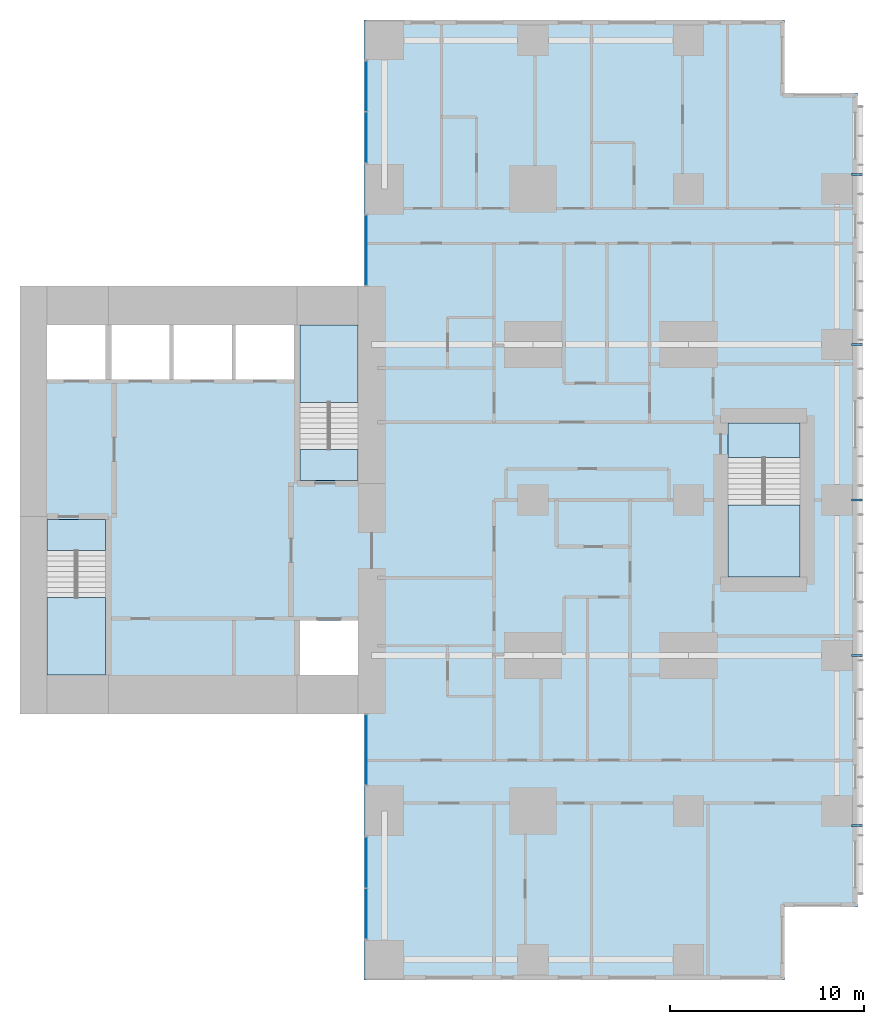
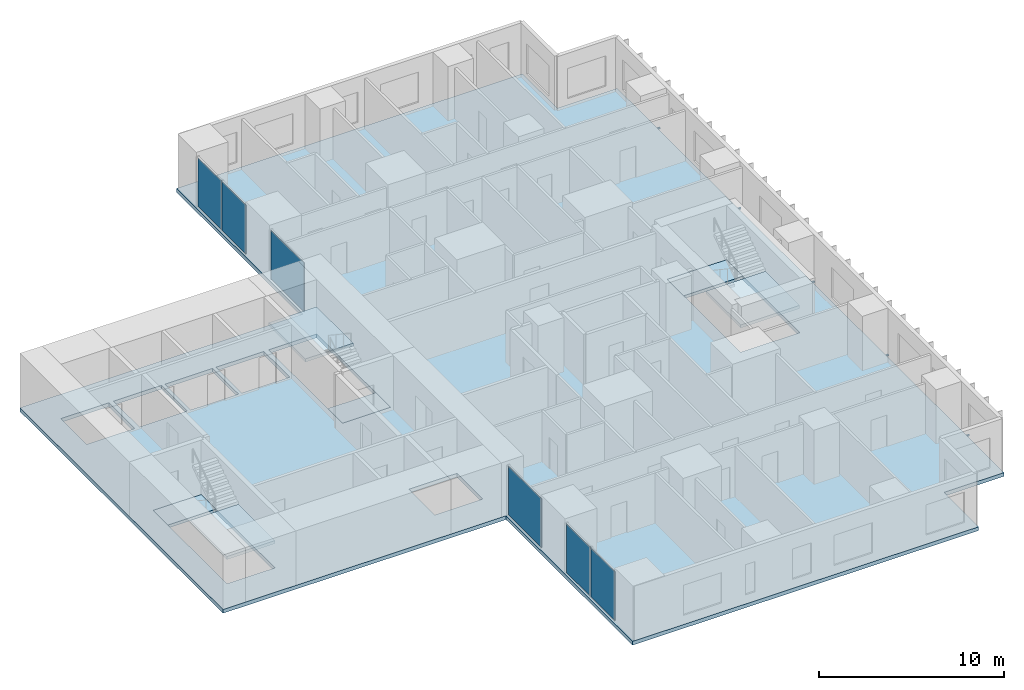
# One storey, part 4 of 12: 7 slabs, 6 plates, 5 members, 7 elements without a shape of their own.
"""IFC4 building model written with IfcOpenShell, lengths in metres."""

from ifc_helpers import new_model, si_unit, direction, frame, origin, origin_2d, place, context, subcontext, project, spatial, polyline, rectangle, hollow_rectangle, outline, extrude, material, layer, layer_set, material_profile, profile_set, type_object, element, aggregate, save


model = new_model("IFC4")

# Units and contexts
model_context = context("Model", 3, precision=1e-05, world=origin(), true_north=direction((0.0, 1.0)))
body_context = subcontext(model_context, "Body", "Model", "MODEL_VIEW")
ifc_project = project(units=[si_unit("LENGTHUNIT", "METRE"), si_unit("AREAUNIT", "SQUARE_METRE"), si_unit("VOLUMEUNIT", "CUBIC_METRE"), si_unit("PLANEANGLEUNIT", "RADIAN"), si_unit("MASSUNIT", "GRAM", prefix="KILO")], contexts=[model_context])

# Site, building, storey
site_placement = place(None, origin())
site = spatial("IfcSite", under=ifc_project, at=site_placement, CompositionType="ELEMENT")
building_placement = place(site_placement, origin())
building = spatial("IfcBuilding", under=site, at=building_placement, Name="Cleftline Residences", CompositionType="ELEMENT")
storey_placement = place(building_placement, frame((0.0, 0.0, 241.199951171875)))
storey = spatial("IfcBuildingStorey", under=building, at=storey_placement, Name="L63", CompositionType="ELEMENT", Elevation=241.199951171875)

# Members
ifc_material_1 = material(Name="Steel S355, hot-dip galvanised", Category="steel")
ifc_material_profile = material_profile(ifc_material_1, hollow_rectangle(XDim=0.10009765625, YDim=0.10009765625, WallThickness=0.008056640625, InnerFilletRadius=0.008056640625, OuterFilletRadius=0.011962890625, at=origin_2d()))
ifc_profile_set = profile_set([ifc_material_profile], Name="Steel S355, hot-dip galvanised")
member_type = type_object("IfcMemberType", Name="BAGUETTE BRACKET SHS 100X100X8", PredefinedType="USERDEFINED", material=ifc_profile_set)
for number, where, z_axis, x_axis, name in (
    (1, (66.39990234375, 7.25, -0.14990234375), (1.0, 0.0, 0.0), (0.0, 1.0, 0.0), "Baguette bracket"),
    (2, (66.39990234375, 16.0, -0.14990234375), (1.0, 0.0, 0.0), (0.0, 1.0, 0.0), "Baguette bracket"),
    (3, (66.39990234375, 24.0, -0.14990234375), (1.0, 0.0, 0.0), (0.0, 1.0, 0.0), "Baguette bracket"),
    (4, (66.39990234375, 32.0, -0.14990234375), (1.0, 0.0, 0.0), (0.0, 1.0, 0.0), "Baguette bracket"),
    (5, (66.39990234375, 40.75, -0.14990234375), (1.0, 0.0, 0.0), (0.0, 1.0, 0.0), "Baguette bracket"),
):
    element("IfcMember", number, at=place(storey_placement, frame(where, z_axis=z_axis, x_axis=x_axis)), inside=storey, type_object=member_type, Name=name, ObjectType="BAGUETTE BRACKET", PredefinedType="USERDEFINED", context=body_context, shape_type="SweptSolid", body=[
        extrude(hollow_rectangle(XDim=0.10009765625, YDim=0.10009765625, WallThickness=0.008056640625, InnerFilletRadius=0.008056640625, OuterFilletRadius=0.011962890625, at=origin_2d()), origin(), (0.0, 0.0, 1.0), 0.550048828125),
    ])

# Curtain wall, plate
ifc_material_2 = material(Name="Aluminium framed curtain wall", Category="aluminium")
ifc_layer_1 = layer(ifc_material_2, 0.199951171875)
ifc_layer_set_1 = layer_set([ifc_layer_1], Name="CW1 CLEFT GLAZING")
curtain_wall_type = type_object("IfcCurtainWallType", Name="CW1 CLEFT GLAZING", PredefinedType="NOTDEFINED", material=ifc_layer_set_1)
curtain_wall_1_placement = place(storey_placement, origin())
curtain_wall_1 = element("IfcCurtainWall", 6, at=curtain_wall_1_placement, inside=storey, type_object=curtain_wall_type, Name="Curtain wall CW1", PredefinedType="NOTDEFINED")
ifc_material_3 = material(Name="Laminated clear glass", Category="glass")
ifc_layer_2 = layer(ifc_material_3, 0.028076171875)
ifc_layer_set_2 = layer_set([ifc_layer_2], Name="CW1 GLASS PANEL")
plate_type = type_object("IfcPlateType", Name="CW1 GLASS PANEL", PredefinedType="CURTAIN_PANEL", material=ifc_layer_set_2)
plate_1_placement = place(storey_placement, frame((41.425048828125, 11.14990234375, 0.06005859375), z_axis=(0.0, 0.0, 1.0), x_axis=(0.0, -1.0, 0.0)))
plate_1 = element("IfcPlate", 7, at=plate_1_placement, type_object=plate_type, Name="CW1 panel 1.1", PredefinedType="CURTAIN_PANEL", context=body_context, shape_type="SweptSolid", body=[
    extrude(rectangle(XDim=3.580078125, YDim=0.028076171875, at=origin_2d()), origin(), (0.0, 0.0, 1.0), 3.22998046875),
])
aggregate(curtain_wall_1, [plate_1])

# Curtain wall, plates
curtain_wall_2_placement = place(storey_placement, origin())
curtain_wall_2 = element("IfcCurtainWall", 8, at=curtain_wall_2_placement, inside=storey, type_object=curtain_wall_type, Name="Curtain wall CW1", PredefinedType="NOTDEFINED")
plate_2_placement = place(storey_placement, frame((41.425048828125, 5.347412109375, 0.06005859375), z_axis=(0.0, 0.0, 1.0), x_axis=(0.0, -1.0, 0.0)))
plate_2 = element("IfcPlate", 9, at=plate_2_placement, type_object=plate_type, Name="CW1 panel 1.1", PredefinedType="CURTAIN_PANEL", context=body_context, shape_type="SweptSolid", body=[
    extrude(rectangle(XDim=2.5849609375, YDim=0.028076171875, at=origin_2d()), origin(), (0.0, 0.0, 1.0), 3.22998046875),
])
plate_3_placement = place(storey_placement, frame((41.425048828125, 2.702392578125, 0.06005859375), z_axis=(0.0, 0.0, 1.0), x_axis=(0.0, -1.0, 0.0)))
plate_3 = element("IfcPlate", 10, at=plate_3_placement, type_object=plate_type, Name="CW1 panel 2.1", PredefinedType="CURTAIN_PANEL", context=body_context, shape_type="SweptSolid", body=[
    extrude(rectangle(XDim=2.5849609375, YDim=0.028076171875, at=origin_2d()), origin(), (0.0, 0.0, 1.0), 3.22998046875),
])
aggregate(curtain_wall_2, [plate_2, plate_3])

curtain_wall_3_placement = place(storey_placement, origin())
curtain_wall_3 = element("IfcCurtainWall", 11, at=curtain_wall_3_placement, inside=storey, type_object=curtain_wall_type, Name="Curtain wall CW1", PredefinedType="NOTDEFINED")
plate_4_placement = place(storey_placement, frame((41.425048828125, 45.297607421875, 0.06005859375), z_axis=(0.0, 0.0, 1.0), x_axis=(0.0, -1.0, 0.0)))
plate_4 = element("IfcPlate", 12, at=plate_4_placement, type_object=plate_type, Name="CW1 panel 1.1", PredefinedType="CURTAIN_PANEL", context=body_context, shape_type="SweptSolid", body=[
    extrude(rectangle(XDim=2.5849609375, YDim=0.028076171875, at=origin_2d()), origin(), (0.0, 0.0, 1.0), 3.22998046875),
])
plate_5_placement = place(storey_placement, frame((41.425048828125, 42.652587890625, 0.06005859375), z_axis=(0.0, 0.0, 1.0), x_axis=(0.0, -1.0, 0.0)))
plate_5 = element("IfcPlate", 13, at=plate_5_placement, type_object=plate_type, Name="CW1 panel 2.1", PredefinedType="CURTAIN_PANEL", context=body_context, shape_type="SweptSolid", body=[
    extrude(rectangle(XDim=2.5849609375, YDim=0.028076171875, at=origin_2d()), origin(), (0.0, 0.0, 1.0), 3.22998046875),
])
aggregate(curtain_wall_3, [plate_4, plate_5])

# Curtain wall, plate
curtain_wall_4_placement = place(storey_placement, origin())
curtain_wall_4 = element("IfcCurtainWall", 14, at=curtain_wall_4_placement, inside=storey, type_object=curtain_wall_type, Name="Curtain wall CW1", PredefinedType="NOTDEFINED")
plate_6_placement = place(storey_placement, frame((41.425048828125, 36.85009765625, 0.06005859375), z_axis=(0.0, 0.0, 1.0), x_axis=(0.0, -1.0, 0.0)))
plate_6 = element("IfcPlate", 15, at=plate_6_placement, type_object=plate_type, Name="CW1 panel 1.1", PredefinedType="CURTAIN_PANEL", context=body_context, shape_type="SweptSolid", body=[
    extrude(rectangle(XDim=3.580078125, YDim=0.028076171875, at=origin_2d()), origin(), (0.0, 0.0, 1.0), 3.22998046875),
])
aggregate(curtain_wall_4, [plate_6])

# Slab
ifc_material_4 = material(Name="Concrete B45", Category="concrete")
ifc_layer_3 = layer(ifc_material_4, 0.25)
ifc_layer_set_3 = layer_set([ifc_layer_3], Name="FLOOR SLAB 250")
slab_type_1 = type_object("IfcSlabType", Name="FLOOR SLAB 250", PredefinedType="FLOOR", material=ifc_layer_set_3)
slab_1_placement = place(storey_placement, frame((0.0, 0.0, -0.25)))
element("IfcSlab", 16, at=slab_1_placement, inside=storey, type_object=slab_type_1, Name="Floor slab L63", PredefinedType="FLOOR", context=body_context, shape_type="SweptSolid", body=[
    extrude(outline(polyline([(41.300048828125, 13.0), (41.300048828125, -0.699951171875), (62.949951171875, -0.699951171875), (62.949951171875, 3.050048828125), (66.699951171875, 3.050048828125), (66.699951171875, 44.949951171875), (62.949951171875, 44.949951171875), (62.949951171875, 48.699951171875), (41.300048828125, 48.699951171875), (41.300048828125, 35.0), (23.60009765625, 35.0), (23.60009765625, 13.0), (41.300048828125, 13.0)]), holes=[polyline([(28.0, 15.0), (28.0, 23.0), (25.0, 23.0), (25.0, 15.0), (28.0, 15.0)]), polyline([(41.0, 25.0), (41.0, 33.0), (38.0, 33.0), (38.0, 25.0), (41.0, 25.0)]), polyline([(28.0, 30.199951171875), (28.0, 33.0), (25.0, 33.0), (25.0, 30.199951171875), (28.0, 30.199951171875)]), polyline([(41.0, 15.0), (41.0, 17.800048828125), (38.0, 17.800048828125), (38.0, 15.0), (41.0, 15.0)]), polyline([(31.300048828125, 30.199951171875), (31.300048828125, 33.0), (28.300048828125, 33.0), (28.300048828125, 30.199951171875), (31.300048828125, 30.199951171875)]), polyline([(34.5, 30.199951171875), (34.5, 33.0), (31.5, 33.0), (31.5, 30.199951171875), (34.5, 30.199951171875)]), polyline([(37.699951171875, 30.199951171875), (37.699951171875, 33.0), (34.699951171875, 33.0), (34.699951171875, 30.199951171875), (37.699951171875, 30.199951171875)]), polyline([(63.72509765625, 20.02490234375), (63.72509765625, 27.97509765625), (60.02490234375, 27.97509765625), (60.02490234375, 20.02490234375), (63.72509765625, 20.02490234375)])]), origin(), (0.0, 0.0, 1.0), 0.25),
])

# Stair, slabs
ifc_material_5 = material(Name="Concrete B45, stone treads", Category="masonry")
stair_type_1 = type_object("IfcStairType", Name="STAIR A 1450 WIDE 180 RISER", PredefinedType="HALF_TURN_STAIR", material=ifc_material_5)
stair_1_placement = place(storey_placement, origin())
stair_1 = element("IfcStair", 17, at=stair_1_placement, inside=storey, type_object=stair_type_1, Name="Stair A L63", PredefinedType="HALF_TURN_STAIR")
ifc_material_6 = material(Name="Concrete B45", Category="concrete")
ifc_layer_4 = layer(ifc_material_6, 0.199951171875)
ifc_layer_set_4 = layer_set([ifc_layer_4], Name="STAIR LANDING 200")
slab_type_2 = type_object("IfcSlabType", Name="STAIR LANDING 200", PredefinedType="LANDING", material=ifc_layer_set_4)
slab_2_placement = place(storey_placement, frame((0.0, 0.0, -0.199951171875)))
slab_2 = element("IfcSlab", 18, at=slab_2_placement, type_object=slab_type_2, Name="ST-A landing 1", PredefinedType="LANDING", context=body_context, shape_type="SweptSolid", body=[
    extrude(outline(polyline([(25.0, 21.39990234375), (28.0, 21.39990234375), (28.0, 23.0), (25.0, 23.0), (25.0, 21.39990234375)])), origin(), (0.0, 0.0, 1.0), 0.199951171875),
])
slab_3_placement = place(storey_placement, frame((0.0, 0.0, 1.60009765625)))
slab_3 = element("IfcSlab", 19, at=slab_3_placement, type_object=slab_type_2, Name="ST-A landing 2", PredefinedType="LANDING", context=body_context, shape_type="SweptSolid", body=[
    extrude(outline(polyline([(25.0, 15.0), (28.0, 15.0), (28.0, 18.969970703125), (25.0, 18.969970703125), (25.0, 15.0)])), origin(), (0.0, 0.0, 1.0), 0.199951171875),
])
aggregate(stair_1, [slab_2, slab_3])

ifc_material_7 = material(Name="Concrete B45, stone treads", Category="masonry")
stair_type_2 = type_object("IfcStairType", Name="STAIR B 1450 WIDE 180 RISER", PredefinedType="HALF_TURN_STAIR", material=ifc_material_7)
stair_2_placement = place(storey_placement, origin())
stair_2 = element("IfcStair", 20, at=stair_2_placement, inside=storey, type_object=stair_type_2, Name="Stair B L63", PredefinedType="HALF_TURN_STAIR")
slab_4_placement = place(storey_placement, frame((0.0, 0.0, -0.199951171875)))
slab_4 = element("IfcSlab", 21, at=slab_4_placement, type_object=slab_type_2, Name="ST-B landing 1", PredefinedType="LANDING", context=body_context, shape_type="SweptSolid", body=[
    extrude(outline(polyline([(38.0, 25.0), (41.0, 25.0), (41.0, 26.60009765625), (38.0, 26.60009765625), (38.0, 25.0)])), origin(), (0.0, 0.0, 1.0), 0.199951171875),
])
slab_5_placement = place(storey_placement, frame((0.0, 0.0, 1.60009765625)))
slab_5 = element("IfcSlab", 22, at=slab_5_placement, type_object=slab_type_2, Name="ST-B landing 2", PredefinedType="LANDING", context=body_context, shape_type="SweptSolid", body=[
    extrude(outline(polyline([(38.0, 29.030029296875), (41.0, 29.030029296875), (41.0, 33.0), (38.0, 33.0), (38.0, 29.030029296875)])), origin(), (0.0, 0.0, 1.0), 0.199951171875),
])
aggregate(stair_2, [slab_4, slab_5])

ifc_material_8 = material(Name="Concrete B45, stone treads", Category="masonry")
stair_type_3 = type_object("IfcStairType", Name="STAIR E 1800 WIDE 180 RISER", PredefinedType="HALF_TURN_STAIR", material=ifc_material_8)
stair_3_placement = place(storey_placement, origin())
stair_3 = element("IfcStair", 23, at=stair_3_placement, inside=storey, type_object=stair_type_3, Name="Stair E L63", PredefinedType="HALF_TURN_STAIR")
slab_6_placement = place(storey_placement, frame((0.0, 0.0, -0.199951171875)))
slab_6 = element("IfcSlab", 24, at=slab_6_placement, type_object=slab_type_2, Name="ST-E landing 1", PredefinedType="LANDING", context=body_context, shape_type="SweptSolid", body=[
    extrude(outline(polyline([(60.02490234375, 26.175048828125), (63.72509765625, 26.175048828125), (63.72509765625, 27.97509765625), (60.02490234375, 27.97509765625), (60.02490234375, 26.175048828125)])), origin(), (0.0, 0.0, 1.0), 0.199951171875),
])
slab_7_placement = place(storey_placement, frame((0.0, 0.0, 1.60009765625)))
slab_7 = element("IfcSlab", 25, at=slab_7_placement, type_object=slab_type_2, Name="ST-E landing 2", PredefinedType="LANDING", context=body_context, shape_type="SweptSolid", body=[
    extrude(outline(polyline([(60.02490234375, 20.02490234375), (63.72509765625, 20.02490234375), (63.72509765625, 23.7451171875), (60.02490234375, 23.7451171875), (60.02490234375, 20.02490234375)])), origin(), (0.0, 0.0, 1.0), 0.199951171875),
])
aggregate(stair_3, [slab_6, slab_7])

save(model, "model.ifc")
